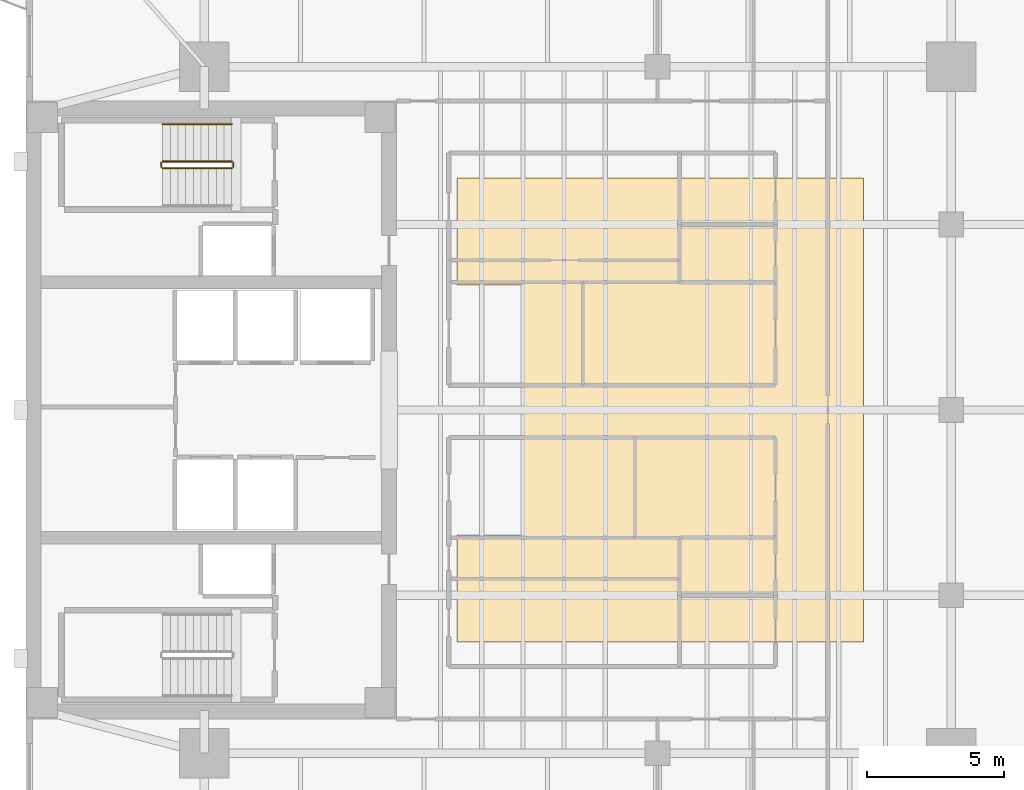
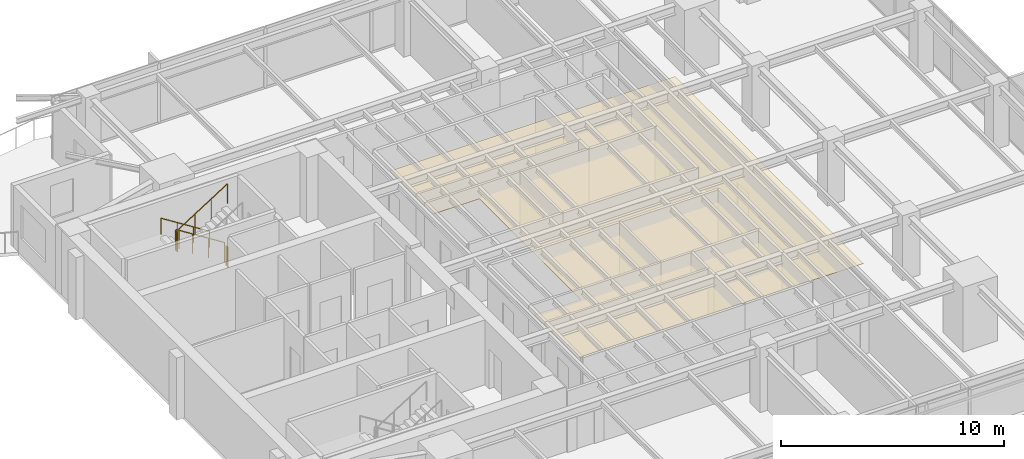
# One storey, part 13 of 15: 5 railings, 1 covering.
"""IFC4 building model written with IfcOpenShell, lengths in metres."""

from ifc_helpers import new_model, si_unit, direction, frame, origin, origin_2d, place, context, subcontext, project, spatial, polyline, circle, outline, extrude, material, layer, layer_set, type_object, element, save


model = new_model("IFC4")

# Units and contexts
model_context = context("Model", 3, precision=1e-05, world=origin(), true_north=direction((0.0, 1.0)))
body_context = subcontext(model_context, "Body", "Model", "MODEL_VIEW")
ifc_project = project(units=[si_unit("LENGTHUNIT", "METRE"), si_unit("AREAUNIT", "SQUARE_METRE"), si_unit("VOLUMEUNIT", "CUBIC_METRE"), si_unit("PLANEANGLEUNIT", "RADIAN"), si_unit("MASSUNIT", "GRAM", prefix="KILO")], contexts=[model_context])

# Site, building, storey
site_placement = place(None, origin())
site = spatial("IfcSite", under=ifc_project, at=site_placement, CompositionType="ELEMENT")
building_placement = place(site_placement, origin())
building = spatial("IfcBuilding", under=site, at=building_placement, Name="Kinhvarn Gate Tower", CompositionType="ELEMENT")
storey_placement = place(building_placement, frame((0.0, 0.0, 220.0)))
storey = spatial("IfcBuildingStorey", under=building, at=storey_placement, Name="L58", CompositionType="ELEMENT", Elevation=220.0)

# Covering
ifc_material_1 = material(Name="Mineral-fibre acoustic ceiling tile")
ifc_layer = layer(ifc_material_1, 0.02001953125)
ifc_layer_set = layer_set([ifc_layer], Name="Mineral-fibre acoustic ceiling tile")
covering_type = type_object("IfcCoveringType", Name="COV-CEIL-20", PredefinedType="CEILING", material=ifc_layer_set)
covering_placement = place(storey_placement, frame((0.0, 0.0, 2.64990234375)))
element("IfcCovering", 1, at=covering_placement, inside=storey, type_object=covering_type, Name="Suspended Acoustic Ceiling Tile (L58-1)", PredefinedType="CEILING", context=body_context, shape_type="SweptSolid", body=[
    extrude(outline(polyline([(35.0, 33.699951171875), (35.0, 16.800048828125), (20.199951171875, 16.800048828125), (20.199951171875, 20.699951171875), (22.60009765625, 20.699951171875), (22.60009765625, 29.800048828125), (20.199951171875, 29.800048828125), (20.199951171875, 33.699951171875), (35.0, 33.699951171875)])), origin(), (0.0, 0.0, 1.0), 0.02001953125),
])

# Railings
ifc_material_2 = material(Name="Steel S355", Category="steel")
railing_type_1 = type_object("IfcRailingType", Name="RL-ST-GRD", PredefinedType="BALUSTRADE", material=ifc_material_2)
railing_1_placement = place(storey_placement, frame((12.0, 34.300048828125, 0.177490234375)))
element("IfcRailing", 2, at=railing_1_placement, inside=storey, type_object=railing_type_1, Name="L58 ST2 stair guard 1", PredefinedType="BALUSTRADE", context=body_context, shape_type="SweptSolid", body=[
    extrude(circle(Radius=0.02392578125, at=origin_2d()), frame((0.0, 0.0, 1.076171875), z_axis=(-0.84460694969, 0.0, 0.535386869969), x_axis=(0.0, -1.0, 0.0)), (0.0, 0.0, 1.0), 2.983642578125),
    extrude(circle(Radius=0.02099609375, at=origin_2d()), origin(), (0.0, 0.0, 1.0), 1.052001953125),
    extrude(circle(Radius=0.02099609375, at=origin_2d()), frame((-0.840087890625, 0.0, 0.532470703125)), (0.0, 0.0, 1.0), 1.052001953125),
    extrude(circle(Radius=0.02099609375, at=origin_2d()), frame((-1.679931640625, 0.0, 1.06494140625)), (0.0, 0.0, 1.0), 1.052001953125),
    extrude(circle(Radius=0.02099609375, at=origin_2d()), frame((-2.52001953125, 0.0, 1.597412109375)), (0.0, 0.0, 1.0), 1.052001953125),
])
railing_2_placement = place(storey_placement, frame((9.429931640625, 34.25, 1.77490234375)))
element("IfcRailing", 3, at=railing_2_placement, inside=storey, type_object=railing_type_1, Name="L58 ST2 stair guard 2", PredefinedType="BALUSTRADE", context=body_context, shape_type="SweptSolid", body=[
    extrude(circle(Radius=0.02392578125, at=origin_2d()), frame((0.0, 0.0, 1.076171875), z_axis=(0.0, -1.0, 0.0), x_axis=(1.0, 0.0, 0.0)), (0.0, 0.0, 1.0), 0.14990234375),
    extrude(circle(Radius=0.02099609375, at=origin_2d()), origin(), (0.0, 0.0, 1.0), 1.052001953125),
    extrude(circle(Radius=0.02099609375, at=origin_2d()), frame((0.0, -0.14990234375, 0.0)), (0.0, 0.0, 1.0), 1.052001953125),
])
railing_3_placement = place(storey_placement, frame((9.47998046875, 34.050048828125, 1.952392578125)))
element("IfcRailing", 4, at=railing_3_placement, inside=storey, type_object=railing_type_1, Name="L58 ST2 stair guard 3", PredefinedType="BALUSTRADE", context=body_context, shape_type="SweptSolid", body=[
    extrude(circle(Radius=0.02392578125, at=origin_2d()), frame((0.0, 0.0, 1.076171875), z_axis=(0.84456994832, 0.0, 0.535445237532), x_axis=(0.0, 1.0, 0.0)), (0.0, 0.0, 1.0), 2.98388671875),
    extrude(circle(Radius=0.02099609375, at=origin_2d()), origin(), (0.0, 0.0, 1.0), 1.052001953125),
    extrude(circle(Radius=0.02099609375, at=origin_2d()), frame((0.840087890625, 0.0, 0.532470703125)), (0.0, 0.0, 1.0), 1.052001953125),
    extrude(circle(Radius=0.02099609375, at=origin_2d()), frame((1.679931640625, 0.0, 1.065185546875)), (0.0, 0.0, 1.0), 1.052001953125),
    extrude(circle(Radius=0.02099609375, at=origin_2d()), frame((2.52001953125, 0.0, 1.59765625)), (0.0, 0.0, 1.0), 1.052001953125),
])
railing_4_placement = place(storey_placement, frame((12.050048828125, 34.25, 0.0)))
element("IfcRailing", 5, at=railing_4_placement, inside=storey, type_object=railing_type_1, Name="L58 ST2 stair guard 4", PredefinedType="BALUSTRADE", context=body_context, shape_type="SweptSolid", body=[
    extrude(circle(Radius=0.02392578125, at=origin_2d()), frame((0.0, 0.0, 1.076171875), z_axis=(0.0, -1.0, 0.0), x_axis=(1.0, 0.0, 0.0)), (0.0, 0.0, 1.0), 0.14990234375),
    extrude(circle(Radius=0.02099609375, at=origin_2d()), origin(), (0.0, 0.0, 1.0), 1.052001953125),
    extrude(circle(Radius=0.02099609375, at=origin_2d()), frame((0.0, -0.14990234375, 0.0)), (0.0, 0.0, 1.0), 1.052001953125),
])
railing_type_2 = type_object("IfcRailingType", Name="RL-ST-HND", PredefinedType="HANDRAIL", material=ifc_material_2)
railing_5_placement = place(storey_placement, frame((12.0, 35.64990234375, 0.177490234375)))
element("IfcRailing", 6, at=railing_5_placement, inside=storey, type_object=railing_type_2, Name="L58 ST2 stair handrail 1", PredefinedType="HANDRAIL", context=body_context, shape_type="SweptSolid", body=[
    extrude(circle(Radius=0.02392578125, at=origin_2d()), frame((0.0, 0.0, 0.8759765625), z_axis=(-0.84460694969, 0.0, 0.535386869969), x_axis=(0.0, -1.0, 0.0)), (0.0, 0.0, 1.0), 2.983642578125),
    extrude(circle(Radius=0.02099609375, at=origin_2d()), origin(), (0.0, 0.0, 1.0), 0.851806640625),
    extrude(circle(Radius=0.02099609375, at=origin_2d()), frame((-0.840087890625, 0.0, 0.532470703125)), (0.0, 0.0, 1.0), 0.851806640625),
    extrude(circle(Radius=0.02099609375, at=origin_2d()), frame((-1.679931640625, 0.0, 1.06494140625)), (0.0, 0.0, 1.0), 0.851806640625),
    extrude(circle(Radius=0.02099609375, at=origin_2d()), frame((-2.52001953125, 0.0, 1.597412109375)), (0.0, 0.0, 1.0), 0.851806640625),
])

save(model, "model.ifc")
